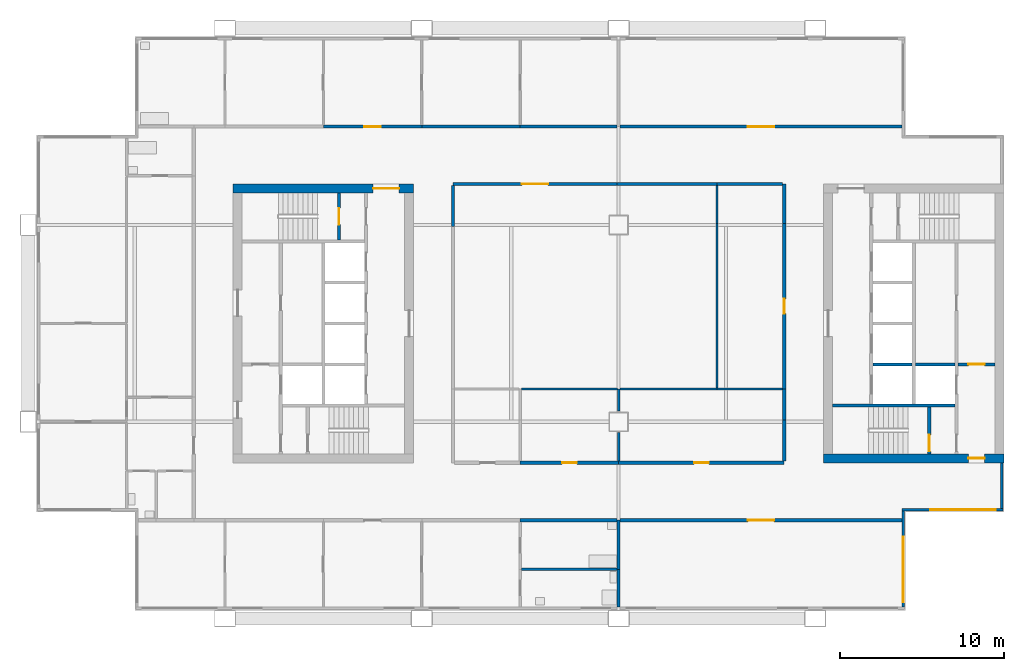
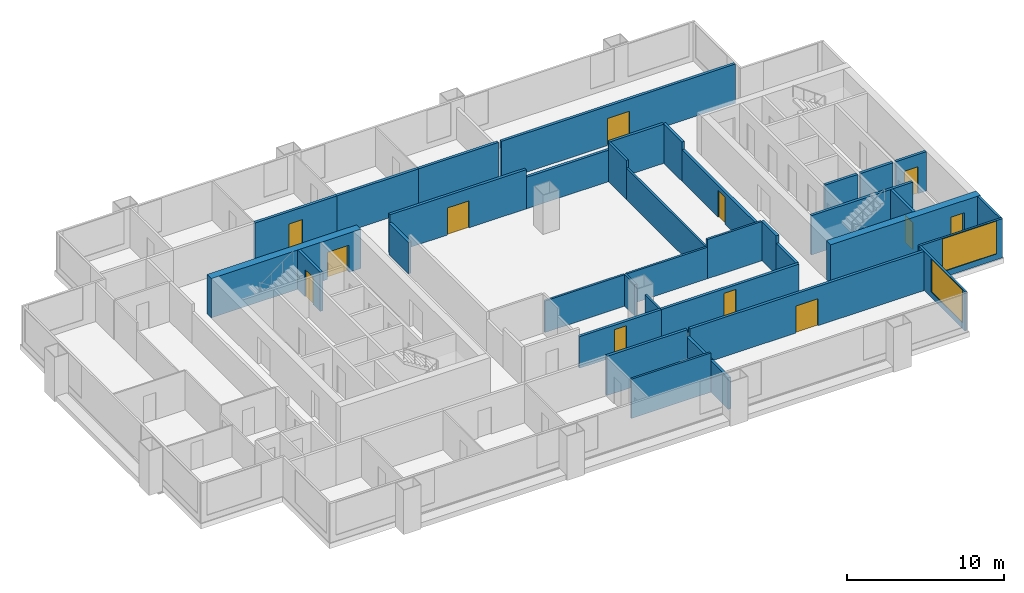
# One storey, part 4 of 8: 37 walls, 12 doors, 2 windows, 14 openings.
"""IFC4 building model written with IfcOpenShell, lengths in metres."""

from ifc_helpers import new_model, si_unit, direction, frame, frame_2d, origin, place, context, subcontext, project, spatial, rectangle, extrude, material, layer, layer_set, type_object, element, fill, save


model = new_model("IFC4")

# Units and contexts
model_context = context("Model", 3, precision=1e-05, world=origin(), true_north=direction((0.0, 1.0)))
body_context = subcontext(model_context, "Body", "Model", "MODEL_VIEW")
ifc_project = project(units=[si_unit("LENGTHUNIT", "METRE"), si_unit("AREAUNIT", "SQUARE_METRE"), si_unit("VOLUMEUNIT", "CUBIC_METRE"), si_unit("PLANEANGLEUNIT", "RADIAN"), si_unit("MASSUNIT", "GRAM", prefix="KILO")], contexts=[model_context])

# Site, building, storey
site_placement = place(None, origin())
site = spatial("IfcSite", under=ifc_project, at=site_placement, CompositionType="ELEMENT")
building_placement = place(site_placement, origin())
building = spatial("IfcBuilding", under=site, at=building_placement, Name="Kitamizu Gate Tower and Museum", CompositionType="ELEMENT")
storey_placement = place(building_placement, frame((0.0, 0.0, 161.699951171875)))
storey = spatial("IfcBuildingStorey", under=building, at=storey_placement, Name="L42", CompositionType="ELEMENT", Elevation=161.699951171875)

# Wall, opening, door
ifc_material_1 = material(Name="Concrete Fc42", Category="concrete")
ifc_layer_1 = layer(ifc_material_1, 0.550048828125)
ifc_layer_set_1 = layer_set([ifc_layer_1], Name="Concrete Fc42")
wall_type_1 = type_object("IfcWallType", Name="Core wall 550", PredefinedType="SHEAR", material=ifc_layer_set_1)
wall_1_placement = place(storey_placement, frame((12.5, 38.22509765625, 0.0), z_axis=(0.0, 0.0, 1.0), x_axis=(1.0, 0.0, 0.0)))
wall_1 = element("IfcWall", 1, at=wall_1_placement, inside=storey, type_object=wall_type_1, Name="Core wall WN", PredefinedType="SHEAR", context=body_context, shape_type="SweptSolid", body=[
    extrude(rectangle(XDim=11.0, YDim=0.550048828125, at=frame_2d((5.5, 0.0))), origin(), (0.0, 0.0, 1.0), 3.050048828125),
])
opening_1_placement = place(wall_1_placement, frame((8.52490234375, 0.0, 0.0)))
opening_1 = element("IfcOpeningElement", 2, at=opening_1_placement, cuts=wall_1, Name="Opening L42-034", PredefinedType="OPENING", context=body_context, shape_type="SweptSolid", body=[
    extrude(rectangle(XDim=1.60009765625, YDim=2.10009765625, at=frame_2d((0.800048828125, 1.050048828125))), frame((0.0, 0.28515625, 0.0), z_axis=(0.0, -1.0, 0.0), x_axis=(1.0, 0.0, 0.0)), (0.0, 0.0, 1.0), 0.570068359375),
])
ifc_material_2 = material(Name="Timber door set", Category="wood")
door_type_1 = type_object("IfcDoorType", Name="Entrance door 1600", OperationType="DOUBLE_DOOR_SINGLE_SWING", PredefinedType="DOOR", material=ifc_material_2)
door_1_placement = place(opening_1_placement, origin())
door_1 = element("IfcDoor", 3, at=door_1_placement, inside=storey, type_object=door_type_1, Name="Lobby door L42-034", OperationType="DOUBLE_DOOR_SINGLE_SWING", OverallHeight=2.10009765625, OverallWidth=1.60009765625, PredefinedType="DOOR", context=body_context, shape_type="SweptSolid", body=[
    extrude(rectangle(XDim=1.60009765625, YDim=2.10009765625, at=frame_2d((0.800048828125, 1.050048828125))), frame((0.0, 0.02490234375, 0.0), z_axis=(0.0, -1.0, 0.0), x_axis=(1.0, 0.0, 0.0)), (0.0, 0.0, 1.0), 0.050048828125),
])
fill(opening_1, door_1)

wall_2_placement = place(storey_placement, frame((59.5, 21.77490234375, 0.0), z_axis=(0.0, 0.0, 1.0), x_axis=(-1.0, 0.0, 0.0)))
wall_2 = element("IfcWall", 4, at=wall_2_placement, inside=storey, type_object=wall_type_1, Name="Core wall ES", PredefinedType="SHEAR", context=body_context, shape_type="SweptSolid", body=[
    extrude(rectangle(XDim=11.0, YDim=0.550048828125, at=frame_2d((5.5, 0.0))), origin(), (0.0, 0.0, 1.0), 3.050048828125),
])
opening_2_placement = place(wall_2_placement, frame((1.175048828125, 0.0, 0.0)))
opening_2 = element("IfcOpeningElement", 5, at=opening_2_placement, cuts=wall_2, Name="Opening L42-042", PredefinedType="OPENING", context=body_context, shape_type="SweptSolid", body=[
    extrude(rectangle(XDim=1.0, YDim=2.10009765625, at=frame_2d((0.5, 1.050048828125))), frame((0.0, 0.28515625, 0.0), z_axis=(0.0, -1.0, 0.0), x_axis=(1.0, 0.0, 0.0)), (0.0, 0.0, 1.0), 0.570068359375),
])
ifc_material_3 = material(Name="Hollow metal door set")
door_type_2 = type_object("IfcDoorType", Name="Fire door 1000", OperationType="NOTDEFINED", PredefinedType="DOOR", material=ifc_material_3)
door_2_placement = place(opening_2_placement, frame((1.0, 0.0, 0.0), x_axis=(-1.0, 0.0, 0.0)))
door_2 = element("IfcDoor", 6, at=door_2_placement, inside=storey, type_object=door_type_2, Name="Fire-fighting lobby door L42-042", OperationType="SINGLE_SWING_RIGHT", OverallHeight=2.10009765625, OverallWidth=1.0, PredefinedType="DOOR", context=body_context, shape_type="SweptSolid", body=[
    extrude(rectangle(XDim=1.0, YDim=2.10009765625, at=frame_2d((0.5, 1.050048828125))), frame((0.0, 0.02490234375, 0.0), z_axis=(0.0, -1.0, 0.0), x_axis=(1.0, 0.0, 0.0)), (0.0, 0.0, 1.0), 0.050048828125),
])
fill(opening_2, door_2)

# Walls
ifc_material_4 = material(Name="Gypsum board on galvanised stud")
ifc_layer_2 = layer(ifc_material_4, 0.14990234375)
ifc_layer_set_2 = layer_set([ifc_layer_2], Name="Gypsum board on galvanised stud")
wall_type_2 = type_object("IfcWallType", Name="Partition 150", PredefinedType="PARTITIONING", material=ifc_layer_set_2)
wall_3_placement = place(storey_placement, frame((35.89990234375, 15.0, 0.0), z_axis=(0.0, 0.0, 1.0), x_axis=(-1.0, 0.0, 0.0)))
element("IfcWall", 7, at=wall_3_placement, inside=storey, type_object=wall_type_2, Name="Partition L42-012", PredefinedType="PARTITIONING", context=body_context, shape_type="SweptSolid", body=[
    extrude(rectangle(XDim=5.824951171875, YDim=0.14990234375, at=frame_2d((2.91259765625, 0.0))), origin(), (0.0, 0.0, 1.0), 3.050048828125),
])
wall_4_placement = place(storey_placement, frame((36.0, 21.60009765625, 0.0), z_axis=(0.0, 0.0, 1.0), x_axis=(0.0, 1.0, 0.0)))
element("IfcWall", 8, at=wall_4_placement, inside=storey, type_object=wall_type_2, Name="Partition L42-066", PredefinedType="PARTITIONING", context=body_context, shape_type="SweptSolid", body=[
    extrude(rectangle(XDim=1.75, YDim=0.14990234375, at=frame_2d((0.875, 0.0))), origin(), (0.0, 0.0, 1.0), 2.449951171875),
])
wall_5_placement = place(storey_placement, frame((36.0, 24.64990234375, 0.0), z_axis=(0.0, 0.0, 1.0), x_axis=(0.0, 1.0, 0.0)))
element("IfcWall", 9, at=wall_5_placement, inside=storey, type_object=wall_type_2, Name="Partition L42-067", PredefinedType="PARTITIONING", context=body_context, shape_type="SweptSolid", body=[
    extrude(rectangle(XDim=1.35009765625, YDim=0.14990234375, at=frame_2d((0.675048828125, 0.0))), origin(), (0.0, 0.0, 1.0), 2.449951171875),
])
wall_6_placement = place(storey_placement, frame((35.925048828125, 26.0, 0.0), z_axis=(0.0, 0.0, 1.0), x_axis=(-1.0, 0.0, 0.0)))
element("IfcWall", 10, at=wall_6_placement, inside=storey, type_object=wall_type_2, Name="Partition L42-068", PredefinedType="PARTITIONING", context=body_context, shape_type="SweptSolid", body=[
    extrude(rectangle(XDim=5.85009765625, YDim=0.14990234375, at=frame_2d((2.925048828125, 0.0))), origin(), (0.0, 0.0, 1.0), 2.449951171875),
])
wall_7_placement = place(storey_placement, frame((42.0, 26.0, 0.0), z_axis=(0.0, 0.0, 1.0), x_axis=(-1.0, 0.0, 0.0)))
element("IfcWall", 11, at=wall_7_placement, inside=storey, type_object=wall_type_2, Name="Partition L42-069", PredefinedType="PARTITIONING", context=body_context, shape_type="SweptSolid", body=[
    extrude(rectangle(XDim=5.925048828125, YDim=0.14990234375, at=frame_2d((2.96240234375, 0.0))), origin(), (0.0, 0.0, 1.0), 2.449951171875),
])
wall_8_placement = place(storey_placement, frame((46.0, 26.0, 0.0), z_axis=(0.0, 0.0, 1.0), x_axis=(-1.0, 0.0, 0.0)))
element("IfcWall", 12, at=wall_8_placement, inside=storey, type_object=wall_type_2, Name="Partition L42-070", PredefinedType="PARTITIONING", context=body_context, shape_type="SweptSolid", body=[
    extrude(rectangle(XDim=4.0, YDim=0.14990234375, at=frame_2d((2.0, 0.0))), origin(), (0.0, 0.0, 1.0), 3.050048828125),
])
wall_9_placement = place(storey_placement, frame((42.0, 26.074951171875, 0.0), z_axis=(0.0, 0.0, 1.0), x_axis=(0.0, 1.0, 0.0)))
element("IfcWall", 13, at=wall_9_placement, inside=storey, type_object=wall_type_2, Name="Partition L42-071", PredefinedType="PARTITIONING", context=body_context, shape_type="SweptSolid", body=[
    extrude(rectangle(XDim=10.025146484375, YDim=0.14990234375, at=frame_2d((5.0126953125, 0.0))), origin(), (0.0, 0.0, 1.0), 2.449951171875),
])
wall_10_placement = place(storey_placement, frame((42.0, 36.10009765625, 0.0), z_axis=(0.0, 0.0, 1.0), x_axis=(0.0, 1.0, 0.0)))
element("IfcWall", 14, at=wall_10_placement, inside=storey, type_object=wall_type_2, Name="Partition L42-072", PredefinedType="PARTITIONING", context=body_context, shape_type="SweptSolid", body=[
    extrude(rectangle(XDim=2.2998046875, YDim=0.14990234375, at=frame_2d((1.14990234375, 0.0))), origin(), (0.0, 0.0, 1.0), 3.050048828125),
])
ifc_material_5 = material(Name="Gypsum board on galvanised stud")
ifc_layer_3 = layer(ifc_material_5, 0.199951171875)
ifc_layer_set_3 = layer_set([ifc_layer_3], Name="Gypsum board on galvanised stud")
wall_type_3 = type_object("IfcWallType", Name="Partition 200", PredefinedType="PARTITIONING", material=ifc_layer_set_3)
wall_11_placement = place(storey_placement, frame((36.0, 12.719970703125, 0.0), z_axis=(0.0, 0.0, 1.0), x_axis=(0.0, 1.0, 0.0)))
element("IfcWall", 15, at=wall_11_placement, inside=storey, type_object=wall_type_3, Name="Partition L42-013", PredefinedType="PARTITIONING", context=body_context, shape_type="SweptSolid", body=[
    extrude(rectangle(XDim=2.280029296875, YDim=0.199951171875, at=frame_2d((1.14013671875, 0.0))), origin(), (0.0, 0.0, 1.0), 2.449951171875),
])
wall_12_placement = place(storey_placement, frame((36.0, 15.0, 0.0), z_axis=(0.0, 0.0, 1.0), x_axis=(0.0, 1.0, 0.0)))
element("IfcWall", 16, at=wall_12_placement, inside=storey, type_object=wall_type_3, Name="Partition L42-014", PredefinedType="PARTITIONING", context=body_context, shape_type="SweptSolid", body=[
    extrude(rectangle(XDim=3.0, YDim=0.199951171875, at=frame_2d((1.5, 0.0))), origin(), (0.0, 0.0, 1.0), 2.449951171875),
])
wall_13_placement = place(storey_placement, frame((35.89990234375, 18.0, 0.0), z_axis=(0.0, 0.0, 1.0), x_axis=(-1.0, 0.0, 0.0)))
element("IfcWall", 17, at=wall_13_placement, inside=storey, type_object=wall_type_3, Name="Partition L42-015", PredefinedType="PARTITIONING", context=body_context, shape_type="SweptSolid", body=[
    extrude(rectangle(XDim=5.89990234375, YDim=0.199951171875, at=frame_2d((2.949951171875, 0.0))), origin(), (0.0, 0.0, 1.0), 3.050048828125),
])

# Wall, opening, door
wall_14_placement = place(storey_placement, frame((18.0, 42.0, 0.0), z_axis=(0.0, 0.0, 1.0), x_axis=(1.0, 0.0, 0.0)))
wall_14 = element("IfcWall", 18, at=wall_14_placement, inside=storey, type_object=wall_type_3, Name="Partition L42-022", PredefinedType="PARTITIONING", context=body_context, shape_type="SweptSolid", body=[
    extrude(rectangle(XDim=6.0, YDim=0.199951171875, at=frame_2d((3.0, 0.0))), origin(), (0.0, 0.0, 1.0), 3.050048828125),
])
opening_3_placement = place(wall_14_placement, frame((2.5, 0.0, 0.0)))
opening_3 = element("IfcOpeningElement", 19, at=opening_3_placement, cuts=wall_14, Name="Opening L42-007", PredefinedType="OPENING", context=body_context, shape_type="SweptSolid", body=[
    extrude(rectangle(XDim=1.0, YDim=2.10009765625, at=frame_2d((0.5, 1.050048828125))), frame((0.0, 0.10986328125, 0.0), z_axis=(0.0, -1.0, 0.0), x_axis=(1.0, 0.0, 0.0)), (0.0, 0.0, 1.0), 0.219970703125),
])
ifc_material_6 = material(Name="Timber door set", Category="wood")
door_type_3 = type_object("IfcDoorType", Name="Flat entrance door 1000", OperationType="NOTDEFINED", PredefinedType="DOOR", material=ifc_material_6)
door_3_placement = place(opening_3_placement, origin())
door_3 = element("IfcDoor", 20, at=door_3_placement, inside=storey, type_object=door_type_3, Name="Flat entrance door L42-007", OperationType="SINGLE_SWING_RIGHT", OverallHeight=2.10009765625, OverallWidth=1.0, PredefinedType="DOOR", context=body_context, shape_type="SweptSolid", body=[
    extrude(rectangle(XDim=1.0, YDim=2.10009765625, at=frame_2d((0.5, 1.050048828125))), frame((0.0, 0.02490234375, 0.0), z_axis=(0.0, -1.0, 0.0), x_axis=(1.0, 0.0, 0.0)), (0.0, 0.0, 1.0), 0.050048828125),
])
fill(opening_3, door_3)

# Walls
wall_15_placement = place(storey_placement, frame((24.0, 42.0, 0.0), z_axis=(0.0, 0.0, 1.0), x_axis=(1.0, 0.0, 0.0)))
element("IfcWall", 21, at=wall_15_placement, inside=storey, type_object=wall_type_3, Name="Partition L42-024", PredefinedType="PARTITIONING", context=body_context, shape_type="SweptSolid", body=[
    extrude(rectangle(XDim=6.0, YDim=0.199951171875, at=frame_2d((3.0, 0.0))), origin(), (0.0, 0.0, 1.0), 3.050048828125),
])
wall_16_placement = place(storey_placement, frame((30.0, 42.0, 0.0), z_axis=(0.0, 0.0, 1.0), x_axis=(1.0, 0.0, 0.0)))
element("IfcWall", 22, at=wall_16_placement, inside=storey, type_object=wall_type_3, Name="Partition L42-026", PredefinedType="PARTITIONING", context=body_context, shape_type="SweptSolid", body=[
    extrude(rectangle(XDim=5.89990234375, YDim=0.199951171875, at=frame_2d((2.949951171875, 0.0))), origin(), (0.0, 0.0, 1.0), 3.050048828125),
])

# Wall, opening, door
wall_17_placement = place(storey_placement, frame((53.280029296875, 18.0, 0.0), z_axis=(0.0, 0.0, 1.0), x_axis=(-1.0, 0.0, 0.0)))
wall_17 = element("IfcWall", 23, at=wall_17_placement, inside=storey, type_object=wall_type_3, Name="Partition L42-047", PredefinedType="PARTITIONING", context=body_context, shape_type="SweptSolid", body=[
    extrude(rectangle(XDim=17.179931640625, YDim=0.199951171875, at=frame_2d((8.58984375, 0.0))), origin(), (0.0, 0.0, 1.0), 3.050048828125),
])
opening_4_placement = place(wall_17_placement, frame((7.7900390625, 0.0, 0.0)))
opening_4 = element("IfcOpeningElement", 24, at=opening_4_placement, cuts=wall_17, Name="Opening L42-020", PredefinedType="OPENING", context=body_context, shape_type="SweptSolid", body=[
    extrude(rectangle(XDim=1.60009765625, YDim=2.10009765625, at=frame_2d((0.800048828125, 1.050048828125))), frame((0.0, 0.10986328125, 0.0), z_axis=(0.0, -1.0, 0.0), x_axis=(1.0, 0.0, 0.0)), (0.0, 0.0, 1.0), 0.219970703125),
])
ifc_material_7 = material(Name="Timber door set", Category="wood")
door_type_4 = type_object("IfcDoorType", Name="Double door 1600", OperationType="DOUBLE_DOOR_SINGLE_SWING", PredefinedType="DOOR", material=ifc_material_7)
door_4_placement = place(opening_4_placement, origin())
door_4 = element("IfcDoor", 25, at=door_4_placement, inside=storey, type_object=door_type_4, Name="Double door L42-020", OperationType="DOUBLE_DOOR_SINGLE_SWING", OverallHeight=2.10009765625, OverallWidth=1.60009765625, PredefinedType="DOOR", context=body_context, shape_type="SweptSolid", body=[
    extrude(rectangle(XDim=1.60009765625, YDim=2.10009765625, at=frame_2d((0.800048828125, 1.050048828125))), frame((0.0, 0.02490234375, 0.0), z_axis=(0.0, -1.0, 0.0), x_axis=(1.0, 0.0, 0.0)), (0.0, 0.0, 1.0), 0.050048828125),
])
fill(opening_4, door_4)

wall_18_placement = place(storey_placement, frame((36.10009765625, 42.0, 0.0), z_axis=(0.0, 0.0, 1.0), x_axis=(1.0, 0.0, 0.0)))
wall_18 = element("IfcWall", 26, at=wall_18_placement, inside=storey, type_object=wall_type_3, Name="Partition L42-048", PredefinedType="PARTITIONING", context=body_context, shape_type="SweptSolid", body=[
    extrude(rectangle(XDim=17.179931640625, YDim=0.199951171875, at=frame_2d((8.58984375, 0.0))), origin(), (0.0, 0.0, 1.0), 3.050048828125),
])
opening_5_placement = place(wall_18_placement, frame((7.7900390625, 0.0, 0.0)))
opening_5 = element("IfcOpeningElement", 27, at=opening_5_placement, cuts=wall_18, Name="Opening L42-021", PredefinedType="OPENING", context=body_context, shape_type="SweptSolid", body=[
    extrude(rectangle(XDim=1.60009765625, YDim=2.10009765625, at=frame_2d((0.800048828125, 1.050048828125))), frame((0.0, 0.10986328125, 0.0), z_axis=(0.0, -1.0, 0.0), x_axis=(1.0, 0.0, 0.0)), (0.0, 0.0, 1.0), 0.219970703125),
])
door_5_placement = place(opening_5_placement, origin())
door_5 = element("IfcDoor", 28, at=door_5_placement, inside=storey, type_object=door_type_4, Name="Double door L42-021", OperationType="DOUBLE_DOOR_SINGLE_SWING", OverallHeight=2.10009765625, OverallWidth=1.60009765625, PredefinedType="DOOR", context=body_context, shape_type="SweptSolid", body=[
    extrude(rectangle(XDim=1.60009765625, YDim=2.10009765625, at=frame_2d((0.800048828125, 1.050048828125))), frame((0.0, 0.02490234375, 0.0), z_axis=(0.0, -1.0, 0.0), x_axis=(1.0, 0.0, 0.0)), (0.0, 0.0, 1.0), 0.050048828125),
])
fill(opening_5, door_5)

wall_19_placement = place(storey_placement, frame((30.0, 21.5, 0.0), z_axis=(0.0, 0.0, 1.0), x_axis=(1.0, 0.0, 0.0)))
wall_19 = element("IfcWall", 29, at=wall_19_placement, inside=storey, type_object=wall_type_3, Name="Partition L42-052", PredefinedType="PARTITIONING", context=body_context, shape_type="SweptSolid", body=[
    extrude(rectangle(XDim=6.0, YDim=0.199951171875, at=frame_2d((3.0, 0.0))), origin(), (0.0, 0.0, 1.0), 2.449951171875),
])
opening_6_placement = place(wall_19_placement, frame((2.550048828125, 0.0, 0.0)))
opening_6 = element("IfcOpeningElement", 30, at=opening_6_placement, cuts=wall_19, Name="Opening L42-023", PredefinedType="OPENING", context=body_context, shape_type="SweptSolid", body=[
    extrude(rectangle(XDim=0.89990234375, YDim=2.10009765625, at=frame_2d((0.449951171875, 1.050048828125))), frame((0.0, 0.10986328125, 0.0), z_axis=(0.0, -1.0, 0.0), x_axis=(1.0, 0.0, 0.0)), (0.0, 0.0, 1.0), 0.219970703125),
])
ifc_material_8 = material(Name="Timber door set", Category="wood")
door_type_5 = type_object("IfcDoorType", Name="Room door 900", OperationType="NOTDEFINED", PredefinedType="DOOR", material=ifc_material_8)
door_6_placement = place(opening_6_placement, origin())
door_6 = element("IfcDoor", 31, at=door_6_placement, inside=storey, type_object=door_type_5, Name="Door L42-023", OperationType="SINGLE_SWING_RIGHT", OverallHeight=2.10009765625, OverallWidth=0.89990234375, PredefinedType="DOOR", context=body_context, shape_type="SweptSolid", body=[
    extrude(rectangle(XDim=0.89990234375, YDim=2.10009765625, at=frame_2d((0.449951171875, 1.050048828125))), frame((0.0, 0.02490234375, 0.0), z_axis=(0.0, -1.0, 0.0), x_axis=(1.0, 0.0, 0.0)), (0.0, 0.0, 1.0), 0.050048828125),
])
fill(opening_6, door_6)

wall_20_placement = place(storey_placement, frame((36.0, 21.5, 0.0), z_axis=(0.0, 0.0, 1.0), x_axis=(1.0, 0.0, 0.0)))
wall_20 = element("IfcWall", 32, at=wall_20_placement, inside=storey, type_object=wall_type_3, Name="Partition L42-053", PredefinedType="PARTITIONING", context=body_context, shape_type="SweptSolid", body=[
    extrude(rectangle(XDim=10.10009765625, YDim=0.199951171875, at=frame_2d((5.050048828125, 0.0))), origin(), (0.0, 0.0, 1.0), 2.449951171875),
])
opening_7_placement = place(wall_20_placement, frame((4.60009765625, 0.0, 0.0)))
opening_7 = element("IfcOpeningElement", 33, at=opening_7_placement, cuts=wall_20, Name="Opening L42-024", PredefinedType="OPENING", context=body_context, shape_type="SweptSolid", body=[
    extrude(rectangle(XDim=0.89990234375, YDim=2.10009765625, at=frame_2d((0.449951171875, 1.050048828125))), frame((0.0, 0.10986328125, 0.0), z_axis=(0.0, -1.0, 0.0), x_axis=(1.0, 0.0, 0.0)), (0.0, 0.0, 1.0), 0.219970703125),
])
door_7_placement = place(opening_7_placement, origin())
door_7 = element("IfcDoor", 34, at=door_7_placement, inside=storey, type_object=door_type_5, Name="Door L42-024", OperationType="SINGLE_SWING_LEFT", OverallHeight=2.10009765625, OverallWidth=0.89990234375, PredefinedType="DOOR", context=body_context, shape_type="SweptSolid", body=[
    extrude(rectangle(XDim=0.89990234375, YDim=2.10009765625, at=frame_2d((0.449951171875, 1.050048828125))), frame((0.0, 0.02490234375, 0.0), z_axis=(0.0, -1.0, 0.0), x_axis=(1.0, 0.0, 0.0)), (0.0, 0.0, 1.0), 0.050048828125),
])
fill(opening_7, door_7)

# Walls
wall_21_placement = place(storey_placement, frame((46.10009765625, 21.60009765625, 0.0), z_axis=(0.0, 0.0, 1.0), x_axis=(0.0, 1.0, 0.0)))
element("IfcWall", 35, at=wall_21_placement, inside=storey, type_object=wall_type_3, Name="Partition L42-054", PredefinedType="PARTITIONING", context=body_context, shape_type="SweptSolid", body=[
    extrude(rectangle(XDim=2.5, YDim=0.199951171875, at=frame_2d((1.25, 0.0))), origin(), (0.0, 0.0, 1.0), 2.449951171875),
])
wall_22_placement = place(storey_placement, frame((46.10009765625, 24.10009765625, 0.0), z_axis=(0.0, 0.0, 1.0), x_axis=(0.0, 1.0, 0.0)))
element("IfcWall", 36, at=wall_22_placement, inside=storey, type_object=wall_type_3, Name="Partition L42-055", PredefinedType="PARTITIONING", context=body_context, shape_type="SweptSolid", body=[
    extrude(rectangle(XDim=1.89990234375, YDim=0.199951171875, at=frame_2d((0.949951171875, 0.0))), origin(), (0.0, 0.0, 1.0), 3.050048828125),
])
wall_23_placement = place(storey_placement, frame((42.0, 38.5, 0.0), z_axis=(0.0, 0.0, 1.0), x_axis=(-1.0, 0.0, 0.0)))
element("IfcWall", 37, at=wall_23_placement, inside=storey, type_object=wall_type_3, Name="Partition L42-056", PredefinedType="PARTITIONING", context=body_context, shape_type="SweptSolid", body=[
    extrude(rectangle(XDim=6.10009765625, YDim=0.199951171875, at=frame_2d((3.050048828125, 0.0))), origin(), (0.0, 0.0, 1.0), 2.449951171875),
])

# Wall, opening, door
wall_24_placement = place(storey_placement, frame((35.89990234375, 38.5, 0.0), z_axis=(0.0, 0.0, 1.0), x_axis=(-1.0, 0.0, 0.0)))
wall_24 = element("IfcWall", 38, at=wall_24_placement, inside=storey, type_object=wall_type_3, Name="Partition L42-057", PredefinedType="PARTITIONING", context=body_context, shape_type="SweptSolid", body=[
    extrude(rectangle(XDim=10.0, YDim=0.199951171875, at=frame_2d((5.0, 0.0))), origin(), (0.0, 0.0, 1.0), 3.050048828125),
])
opening_8_placement = place(wall_24_placement, frame((4.199951171875, 0.0, 0.0)))
opening_8 = element("IfcOpeningElement", 39, at=opening_8_placement, cuts=wall_24, Name="Opening L42-025", PredefinedType="OPENING", context=body_context, shape_type="SweptSolid", body=[
    extrude(rectangle(XDim=1.60009765625, YDim=2.10009765625, at=frame_2d((0.800048828125, 1.050048828125))), frame((0.0, 0.10986328125, 0.0), z_axis=(0.0, -1.0, 0.0), x_axis=(1.0, 0.0, 0.0)), (0.0, 0.0, 1.0), 0.219970703125),
])
door_8_placement = place(opening_8_placement, origin())
door_8 = element("IfcDoor", 40, at=door_8_placement, inside=storey, type_object=door_type_4, Name="Double door L42-025", OperationType="DOUBLE_DOOR_SINGLE_SWING", OverallHeight=2.10009765625, OverallWidth=1.60009765625, PredefinedType="DOOR", context=body_context, shape_type="SweptSolid", body=[
    extrude(rectangle(XDim=1.60009765625, YDim=2.10009765625, at=frame_2d((0.800048828125, 1.050048828125))), frame((0.0, 0.02490234375, 0.0), z_axis=(0.0, -1.0, 0.0), x_axis=(1.0, 0.0, 0.0)), (0.0, 0.0, 1.0), 0.050048828125),
])
fill(opening_8, door_8)

# Wall
wall_25_placement = place(storey_placement, frame((25.89990234375, 38.39990234375, 0.0), z_axis=(0.0, 0.0, 1.0), x_axis=(0.0, -1.0, 0.0)))
element("IfcWall", 41, at=wall_25_placement, inside=storey, type_object=wall_type_3, Name="Partition L42-058", PredefinedType="PARTITIONING", context=body_context, shape_type="SweptSolid", body=[
    extrude(rectangle(XDim=2.5, YDim=0.199951171875, at=frame_2d((1.25, 0.0))), origin(), (0.0, 0.0, 1.0), 2.449951171875),
])

# Wall, opening, door
wall_26_placement = place(storey_placement, frame((46.10009765625, 26.0, 0.0), z_axis=(0.0, 0.0, 1.0), x_axis=(0.0, 1.0, 0.0)))
wall_26 = element("IfcWall", 42, at=wall_26_placement, inside=storey, type_object=wall_type_3, Name="Partition L42-060", PredefinedType="PARTITIONING", context=body_context, shape_type="SweptSolid", body=[
    extrude(rectangle(XDim=10.10009765625, YDim=0.199951171875, at=frame_2d((5.050048828125, 0.0))), origin(), (0.0, 0.0, 1.0), 2.449951171875),
])
opening_9_placement = place(wall_26_placement, frame((4.60009765625, 0.0, 0.0)))
opening_9 = element("IfcOpeningElement", 43, at=opening_9_placement, cuts=wall_26, Name="Opening L42-026", PredefinedType="OPENING", context=body_context, shape_type="SweptSolid", body=[
    extrude(rectangle(XDim=0.89990234375, YDim=2.10009765625, at=frame_2d((0.449951171875, 1.050048828125))), frame((0.0, 0.10986328125, 0.0), z_axis=(0.0, -1.0, 0.0), x_axis=(1.0, 0.0, 0.0)), (0.0, 0.0, 1.0), 0.219970703125),
])
door_9_placement = place(opening_9_placement, origin())
door_9 = element("IfcDoor", 44, at=door_9_placement, inside=storey, type_object=door_type_5, Name="Door L42-026", OperationType="SINGLE_SWING_RIGHT", OverallHeight=2.10009765625, OverallWidth=0.89990234375, PredefinedType="DOOR", context=body_context, shape_type="SweptSolid", body=[
    extrude(rectangle(XDim=0.89990234375, YDim=2.10009765625, at=frame_2d((0.449951171875, 1.050048828125))), frame((0.0, 0.02490234375, 0.0), z_axis=(0.0, -1.0, 0.0), x_axis=(1.0, 0.0, 0.0)), (0.0, 0.0, 1.0), 0.050048828125),
])
fill(opening_9, door_9)

# Walls
wall_27_placement = place(storey_placement, frame((46.10009765625, 36.10009765625, 0.0), z_axis=(0.0, 0.0, 1.0), x_axis=(0.0, 1.0, 0.0)))
element("IfcWall", 45, at=wall_27_placement, inside=storey, type_object=wall_type_3, Name="Partition L42-061", PredefinedType="PARTITIONING", context=body_context, shape_type="SweptSolid", body=[
    extrude(rectangle(XDim=2.39990234375, YDim=0.199951171875, at=frame_2d((1.199951171875, 0.0))), origin(), (0.0, 0.0, 1.0), 3.050048828125),
])
wall_28_placement = place(storey_placement, frame((46.0, 38.5, 0.0), z_axis=(0.0, 0.0, 1.0), x_axis=(-1.0, 0.0, 0.0)))
element("IfcWall", 46, at=wall_28_placement, inside=storey, type_object=wall_type_3, Name="Partition L42-062", PredefinedType="PARTITIONING", context=body_context, shape_type="SweptSolid", body=[
    extrude(rectangle(XDim=4.0, YDim=0.199951171875, at=frame_2d((2.0, 0.0))), origin(), (0.0, 0.0, 1.0), 3.050048828125),
])

# Wall, opening, door
ifc_material_9 = material(Name="Concrete Fc42", Category="concrete")
ifc_layer_4 = layer(ifc_material_9, 0.199951171875)
ifc_layer_set_4 = layer_set([ifc_layer_4], Name="Concrete Fc42")
wall_type_4 = type_object("IfcWallType", Name="Shaft wall 200", PredefinedType="SOLIDWALL", material=ifc_layer_set_4)
wall_29_placement = place(storey_placement, frame((18.949951171875, 35.10009765625, 0.0), z_axis=(0.0, 0.0, 1.0), x_axis=(0.0, 1.0, 0.0)))
wall_29 = element("IfcWall", 47, at=wall_29_placement, inside=storey, type_object=wall_type_4, Name="Shaft wall WNZ", PredefinedType="SOLIDWALL", context=body_context, shape_type="SweptSolid", body=[
    extrude(rectangle(XDim=2.849853515625, YDim=0.199951171875, at=frame_2d((1.4248046875, 0.0))), origin(), (0.0, 0.0, 1.0), 3.050048828125),
])
opening_10_placement = place(wall_29_placement, frame((0.925048828125, 0.0, 0.0)))
opening_10 = element("IfcOpeningElement", 48, at=opening_10_placement, cuts=wall_29, Name="Opening L42-030", PredefinedType="OPENING", context=body_context, shape_type="SweptSolid", body=[
    extrude(rectangle(XDim=1.0, YDim=2.10009765625, at=frame_2d((0.5, 1.050048828125))), frame((0.0, 0.10986328125, 0.0), z_axis=(0.0, -1.0, 0.0), x_axis=(1.0, 0.0, 0.0)), (0.0, 0.0, 1.0), 0.219970703125),
])
door_10_placement = place(opening_10_placement, origin())
door_10 = element("IfcDoor", 49, at=door_10_placement, inside=storey, type_object=door_type_2, Name="Stair door L42-030", OperationType="SINGLE_SWING_RIGHT", OverallHeight=2.10009765625, OverallWidth=1.0, PredefinedType="DOOR", context=body_context, shape_type="SweptSolid", body=[
    extrude(rectangle(XDim=1.0, YDim=2.10009765625, at=frame_2d((0.5, 1.050048828125))), frame((0.0, 0.02490234375, 0.0), z_axis=(0.0, -1.0, 0.0), x_axis=(1.0, 0.0, 0.0)), (0.0, 0.0, 1.0), 0.050048828125),
])
fill(opening_10, door_10)

# Wall
wall_30_placement = place(storey_placement, frame((56.5, 25.0, 0.0), z_axis=(0.0, 0.0, 1.0), x_axis=(-1.0, 0.0, 0.0)))
element("IfcWall", 50, at=wall_30_placement, inside=storey, type_object=wall_type_4, Name="Shaft wall ESB", PredefinedType="SOLIDWALL", context=body_context, shape_type="SweptSolid", body=[
    extrude(rectangle(XDim=7.449951171875, YDim=0.199951171875, at=frame_2d((3.72509765625, 0.0))), origin(), (0.0, 0.0, 1.0), 3.050048828125),
])

# Wall, opening, door
wall_31_placement = place(storey_placement, frame((58.949951171875, 27.5, 0.0), z_axis=(0.0, 0.0, 1.0), x_axis=(-1.0, 0.0, 0.0)))
wall_31 = element("IfcWall", 51, at=wall_31_placement, inside=storey, type_object=wall_type_4, Name="Shaft wall EFFN", PredefinedType="SOLIDWALL", context=body_context, shape_type="SweptSolid", body=[
    extrude(rectangle(XDim=2.25, YDim=0.199951171875, at=frame_2d((1.125, 0.0))), origin(), (0.0, 0.0, 1.0), 3.050048828125),
])
opening_11_placement = place(wall_31_placement, frame((0.625, 0.0, 0.0)))
opening_11 = element("IfcOpeningElement", 52, at=opening_11_placement, cuts=wall_31, Name="Opening L42-041", PredefinedType="OPENING", context=body_context, shape_type="SweptSolid", body=[
    extrude(rectangle(XDim=1.0, YDim=2.10009765625, at=frame_2d((0.5, 1.050048828125))), frame((0.0, 0.10986328125, 0.0), z_axis=(0.0, -1.0, 0.0), x_axis=(1.0, 0.0, 0.0)), (0.0, 0.0, 1.0), 0.219970703125),
])
door_11_placement = place(opening_11_placement, origin())
door_11 = element("IfcDoor", 53, at=door_11_placement, inside=storey, type_object=door_type_2, Name="Fire-fighting lobby door L42-041", OperationType="SINGLE_SWING_RIGHT", OverallHeight=2.10009765625, OverallWidth=1.0, PredefinedType="DOOR", context=body_context, shape_type="SweptSolid", body=[
    extrude(rectangle(XDim=1.0, YDim=2.10009765625, at=frame_2d((0.5, 1.050048828125))), frame((0.0, 0.02490234375, 0.0), z_axis=(0.0, -1.0, 0.0), x_axis=(1.0, 0.0, 0.0)), (0.0, 0.0, 1.0), 0.050048828125),
])
fill(opening_11, door_11)

wall_32_placement = place(storey_placement, frame((54.949951171875, 22.050048828125, 0.0), z_axis=(0.0, 0.0, 1.0), x_axis=(0.0, 1.0, 0.0)))
wall_32 = element("IfcWall", 54, at=wall_32_placement, inside=storey, type_object=wall_type_4, Name="Shaft wall ESZ", PredefinedType="SOLIDWALL", context=body_context, shape_type="SweptSolid", body=[
    extrude(rectangle(XDim=2.849853515625, YDim=0.199951171875, at=frame_2d((1.4248046875, 0.0))), origin(), (0.0, 0.0, 1.0), 3.050048828125),
])
opening_12_placement = place(wall_32_placement, frame((0.14990234375, 0.0, 0.0)))
opening_12 = element("IfcOpeningElement", 55, at=opening_12_placement, cuts=wall_32, Name="Opening L42-037", PredefinedType="OPENING", context=body_context, shape_type="SweptSolid", body=[
    extrude(rectangle(XDim=1.0, YDim=2.10009765625, at=frame_2d((0.5, 1.050048828125))), frame((0.0, 0.10986328125, 0.0), z_axis=(0.0, -1.0, 0.0), x_axis=(1.0, 0.0, 0.0)), (0.0, 0.0, 1.0), 0.219970703125),
])
door_12_placement = place(opening_12_placement, origin())
door_12 = element("IfcDoor", 56, at=door_12_placement, inside=storey, type_object=door_type_2, Name="Stair door L42-037", OperationType="SINGLE_SWING_RIGHT", OverallHeight=2.10009765625, OverallWidth=1.0, PredefinedType="DOOR", context=body_context, shape_type="SweptSolid", body=[
    extrude(rectangle(XDim=1.0, YDim=2.10009765625, at=frame_2d((0.5, 1.050048828125))), frame((0.0, 0.02490234375, 0.0), z_axis=(0.0, -1.0, 0.0), x_axis=(1.0, 0.0, 0.0)), (0.0, 0.0, 1.0), 0.050048828125),
])
fill(opening_12, door_12)

# Walls
for number, where, z_axis, x_axis, name in (
    (57, (56.5, 27.5, 0.0), (0.0, 0.0, 1.0), (-1.0, 0.0, 0.0), "Shaft wall EDVW0"),
    (58, (53.89990234375, 27.5, 0.0), (0.0, 0.0, 1.0), (-1.0, 0.0, 0.0), "Shaft wall EDVE0"),
):
    element("IfcWall", number, at=place(storey_placement, frame(where, z_axis=z_axis, x_axis=x_axis)), inside=storey, type_object=wall_type_4, Name=name, PredefinedType="SOLIDWALL", context=body_context, shape_type="SweptSolid", body=[
        extrude(rectangle(XDim=2.39990234375, YDim=0.199951171875, at=frame_2d((1.199951171875, 0.0))), origin(), (0.0, 0.0, 1.0), 3.050048828125),
    ])

# Wall, opening, window
ifc_material_10 = material(Name="Bronze anodised aluminium frame with insulated spandrel and tinted glass", Category="aluminium")
ifc_layer_5 = layer(ifc_material_10, 0.14990234375)
ifc_layer_set_5 = layer_set([ifc_layer_5], Name="Bronze anodised aluminium frame with insulated spandrel and tinted glass")
wall_type_5 = type_object("IfcWallType", Name="WINDOW WALL 150 BRONZE FRAME EI 30", PredefinedType="ELEMENTEDWALL", material=ifc_layer_set_5)
wall_33_placement = place(storey_placement, frame((53.364990234375, 12.7099609375, 0.0), z_axis=(0.0, 0.0, 1.0), x_axis=(0.0, 1.0, 0.0)))
wall_33 = element("IfcWall", 59, at=wall_33_placement, inside=storey, type_object=wall_type_5, Name="Window wall east L42", PredefinedType="ELEMENTEDWALL", context=body_context, shape_type="SweptSolid", body=[
    extrude(rectangle(XDim=5.85009765625, YDim=0.14990234375, at=frame_2d((2.925048828125, 0.0))), origin(), (0.0, 0.0, 1.0), 3.050048828125),
])
opening_13_placement = place(wall_33_placement, frame((0.2900390625, 0.0, 0.449951171875)))
opening_13 = element("IfcOpeningElement", 60, at=opening_13_placement, cuts=wall_33, Name="Opening W16", PredefinedType="OPENING", context=body_context, shape_type="SweptSolid", body=[
    extrude(rectangle(XDim=4.0, YDim=2.550048828125, at=frame_2d((2.0, 1.27490234375))), frame((0.0, 0.0849609375, 0.0), z_axis=(0.0, -1.0, 0.0), x_axis=(1.0, 0.0, 0.0)), (0.0, 0.0, 1.0), 0.169921875),
])
ifc_material_11 = material(Name="Bronze anodised aluminium frame, tinted triple glazing", Category="aluminium")
window_type = type_object("IfcWindowType", Name="WINDOW 4000 x 2550 SILL 450", PartitioningType="SINGLE_PANEL", PredefinedType="WINDOW", material=ifc_material_11)
window_1_placement = place(opening_13_placement, origin())
window_1 = element("IfcWindow", 61, at=window_1_placement, inside=storey, type_object=window_type, Name="Window W16 L42", OverallHeight=2.550048828125, OverallWidth=4.0, PartitioningType="SINGLE_PANEL", PredefinedType="WINDOW", context=body_context, shape_type="SweptSolid", body=[
    extrude(rectangle(XDim=4.0, YDim=2.550048828125, at=frame_2d((2.0, 1.27490234375))), frame((0.0, 0.030029296875, 0.0), z_axis=(0.0, -1.0, 0.0), x_axis=(1.0, 0.0, 0.0)), (0.0, 0.0, 1.0), 0.06005859375),
])
fill(opening_13, window_1)

wall_34_placement = place(storey_placement, frame((53.2900390625, 18.635009765625, 0.0), z_axis=(0.0, 0.0, 1.0), x_axis=(1.0, 0.0, 0.0)))
wall_34 = element("IfcWall", 62, at=wall_34_placement, inside=storey, type_object=wall_type_5, Name="Window wall south L42", PredefinedType="ELEMENTEDWALL", context=body_context, shape_type="SweptSolid", body=[
    extrude(rectangle(XDim=6.14990234375, YDim=0.14990234375, at=frame_2d((3.074951171875, 0.0))), origin(), (0.0, 0.0, 1.0), 3.050048828125),
])
opening_14_placement = place(wall_34_placement, frame((1.7099609375, 0.0, 0.449951171875)))
opening_14 = element("IfcOpeningElement", 63, at=opening_14_placement, cuts=wall_34, Name="Opening W16", PredefinedType="OPENING", context=body_context, shape_type="SweptSolid", body=[
    extrude(rectangle(XDim=4.0, YDim=2.550048828125, at=frame_2d((2.0, 1.27490234375))), frame((0.0, 0.0849609375, 0.0), z_axis=(0.0, -1.0, 0.0), x_axis=(1.0, 0.0, 0.0)), (0.0, 0.0, 1.0), 0.169921875),
])
window_2_placement = place(opening_14_placement, origin())
window_2 = element("IfcWindow", 64, at=window_2_placement, inside=storey, type_object=window_type, Name="Window W16 L42", OverallHeight=2.550048828125, OverallWidth=4.0, PartitioningType="SINGLE_PANEL", PredefinedType="WINDOW", context=body_context, shape_type="SweptSolid", body=[
    extrude(rectangle(XDim=4.0, YDim=2.550048828125, at=frame_2d((2.0, 1.27490234375))), frame((0.0, 0.030029296875, 0.0), z_axis=(0.0, -1.0, 0.0), x_axis=(1.0, 0.0, 0.0)), (0.0, 0.0, 1.0), 0.06005859375),
])
fill(opening_14, window_2)

# Wall
wall_35_placement = place(storey_placement, frame((59.364990234375, 18.7099609375, 0.0), z_axis=(0.0, 0.0, 1.0), x_axis=(0.0, 1.0, 0.0)))
element("IfcWall", 65, at=wall_35_placement, inside=storey, type_object=wall_type_5, Name="Window wall east L42", PredefinedType="ELEMENTEDWALL", context=body_context, shape_type="SweptSolid", body=[
    extrude(rectangle(XDim=2.7900390625, YDim=0.14990234375, at=frame_2d((1.39501953125, 0.0))), origin(), (0.0, 0.0, 1.0), 3.050048828125),
])

save(model, "model.ifc")
